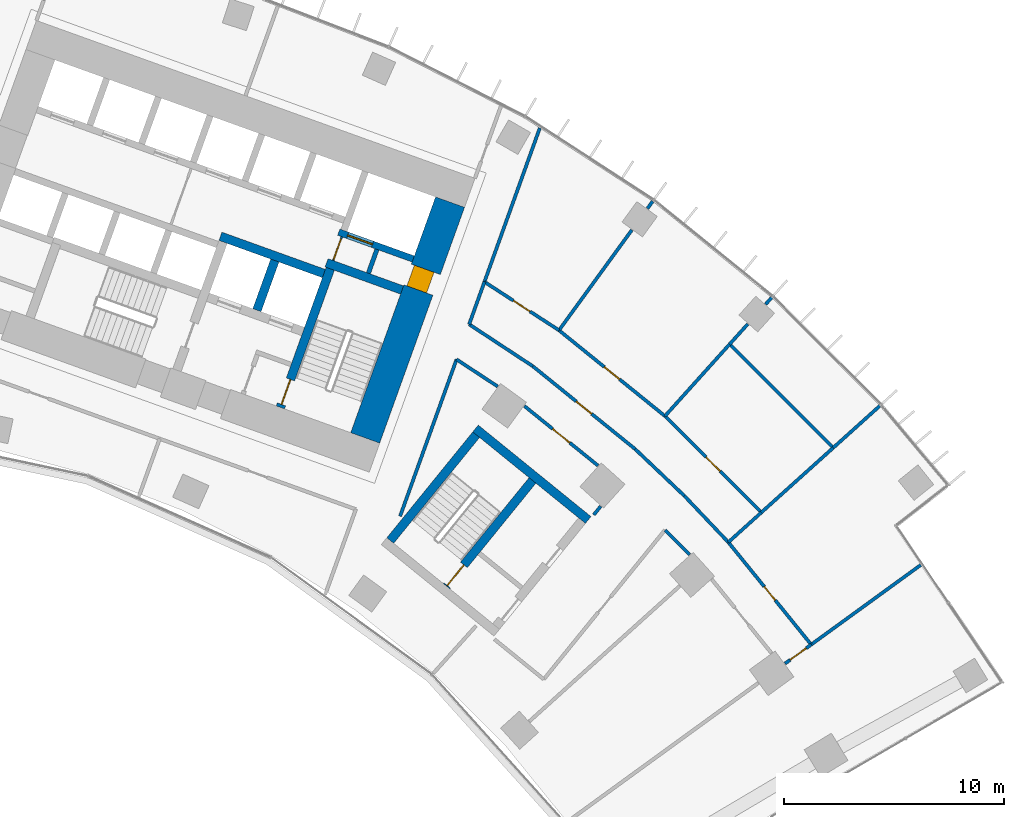
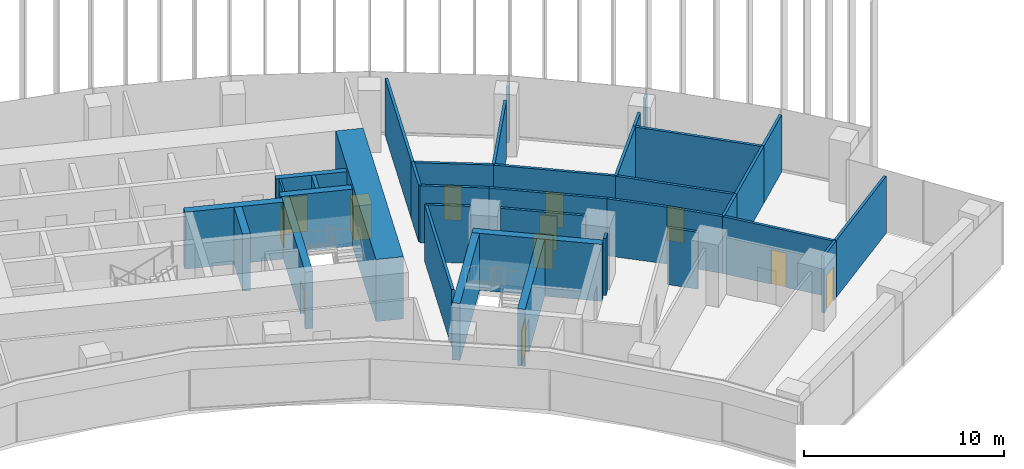
# One storey, part 18 of 21: 37 walls, 12 doors, 12 openings.
"""IFC4 building model written with IfcOpenShell, lengths in metres."""

from ifc_helpers import new_model, si_unit, direction, frame, frame_2d, origin, place, context, subcontext, project, spatial, rectangle, extrude, material, layer, layer_set, type_object, element, fill, save


model = new_model("IFC4")

# Units and contexts
model_context = context("Model", 3, precision=1e-05, world=origin(), true_north=direction((0.0, 1.0)))
body_context = subcontext(model_context, "Body", "Model", "MODEL_VIEW")
ifc_project = project(units=[si_unit("LENGTHUNIT", "METRE"), si_unit("AREAUNIT", "SQUARE_METRE"), si_unit("VOLUMEUNIT", "CUBIC_METRE"), si_unit("PLANEANGLEUNIT", "RADIAN"), si_unit("MASSUNIT", "GRAM", prefix="KILO")], contexts=[model_context])

# Site, building, storey
site_placement = place(None, origin())
site = spatial("IfcSite", under=ifc_project, at=site_placement, CompositionType="ELEMENT")
building_placement = place(site_placement, origin())
building = spatial("IfcBuilding", under=site, at=building_placement, Name="Stone Belt Terrace Tower", CompositionType="ELEMENT")
storey_placement = place(building_placement, frame((0.0, 0.0, 87.0)))
storey = spatial("IfcBuildingStorey", under=building, at=storey_placement, Name="L20", CompositionType="ELEMENT", Elevation=87.0)

# Wall, opening, door
ifc_material_1 = material(Name="Plasterboard partition")
ifc_layer_1 = layer(ifc_material_1, 0.10009765625)
ifc_layer_set_1 = layer_set([ifc_layer_1], Name="Core partition 100")
wall_type_1 = type_object("IfcWallType", Name="Core partition 100", PredefinedType="PARTITIONING", material=ifc_layer_set_1)
wall_1_placement = place(storey_placement, frame((24.555908203125, 51.10400390625, 0.0), z_axis=(0.0, 0.0, 1.0), x_axis=(0.338621735342, 0.94092258999, 0.0)))
wall_1 = element("IfcWall", 1, at=wall_1_placement, inside=storey, type_object=wall_type_1, Name="Core B wall", PredefinedType="PARTITIONING", context=body_context, shape_type="SweptSolid", body=[
    extrude(rectangle(XDim=1.14990234375, YDim=0.10009765625, at=frame_2d((0.574951171875, 0.0))), origin(), (0.0, 0.0, 1.0), 3.47998046875),
])
opening_1_placement = place(wall_1_placement, frame((0.050048828125, 0.0, 0.0)))
opening_1 = element("IfcOpeningElement", 2, at=opening_1_placement, cuts=wall_1, Name="Opening L20-C13", PredefinedType="OPENING", context=body_context, shape_type="SweptSolid", body=[
    extrude(rectangle(XDim=1.0, YDim=2.10009765625, at=frame_2d((0.5, 1.050048828125))), frame((0.0, 0.06005859375, 0.0), z_axis=(0.0, -1.0, 0.0), x_axis=(1.0, 0.0, 0.0)), (0.0, 0.0, 1.0), 0.1201171875),
])
ifc_material_2 = material(Name="Timber door leaf", Category="wood")
door_type_1 = type_object("IfcDoorType", Name="Core room door 1000", OperationType="SINGLE_SWING_LEFT", PredefinedType="DOOR", material=ifc_material_2)
door_1_placement = place(opening_1_placement, origin())
door_1 = element("IfcDoor", 3, at=door_1_placement, inside=storey, type_object=door_type_1, Name="Service lift lobby door core B", OperationType="SINGLE_SWING_RIGHT", OverallHeight=2.10009765625, OverallWidth=1.0, PredefinedType="DOOR", context=body_context, shape_type="SweptSolid", body=[
    extrude(rectangle(XDim=1.0, YDim=2.10009765625, at=frame_2d((0.5, 1.050048828125))), frame((0.0, 0.02490234375, 0.0), z_axis=(0.0, -1.0, 0.0), x_axis=(1.0, 0.0, 0.0)), (0.0, 0.0, 1.0), 0.050048828125),
])
fill(opening_1, door_1)

ifc_material_3 = material(Name="Concrete B80", Category="concrete")
ifc_layer_2 = layer(ifc_material_3, 1.39990234375)
ifc_layer_set_2 = layer_set([ifc_layer_2], Name="Core wall 1400 B80")
wall_type_2 = type_object("IfcWallType", Name="Core wall 1400 B80", PredefinedType="SHEAR", material=ifc_layer_set_2)
wall_2_placement = place(storey_placement, frame((26.00927734375, 43.03515625, 0.0), z_axis=(0.0, 0.0, 1.0), x_axis=(0.338625431531, 0.940921259788, 0.0)))
wall_2 = element("IfcWall", 4, at=wall_2_placement, inside=storey, type_object=wall_type_2, Name="Core B wall end_b L20", PredefinedType="SHEAR", context=body_context, shape_type="SweptSolid", body=[
    extrude(rectangle(XDim=11.400146484375, YDim=1.39990234375, at=frame_2d((5.7001953125, 0.0))), origin(), (0.0, 0.0, 1.0), 3.800048828125),
])
opening_2_placement = place(wall_2_placement, frame((7.14990234375, 0.0, 0.0)))
opening_2 = element("IfcOpeningElement", 5, at=opening_2_placement, cuts=wall_2, Name="Opening L20-C12", PredefinedType="OPENING", context=body_context, shape_type="SweptSolid", body=[
    extrude(rectangle(XDim=1.0, YDim=2.10009765625, at=frame_2d((0.5, 1.050048828125))), frame((0.0, 0.7099609375, 0.0), z_axis=(0.0, -1.0, 0.0), x_axis=(1.0, 0.0, 0.0)), (0.0, 0.0, 1.0), 1.419921875),
])
door_2_placement = place(opening_2_placement, origin())
door_2 = element("IfcDoor", 6, at=door_2_placement, inside=storey, type_object=door_type_1, Name="Door to Telecommunications riser room core B", OperationType="SINGLE_SWING_LEFT", OverallHeight=2.10009765625, OverallWidth=1.0, PredefinedType="DOOR", context=body_context, shape_type="SweptSolid", body=[
    extrude(rectangle(XDim=1.0, YDim=2.10009765625, at=frame_2d((0.5, 1.050048828125))), frame((0.0, 0.55517578125, 0.0), z_axis=(0.0, -1.0, 0.0), x_axis=(1.0, 0.0, 0.0)), (0.0, 0.0, 1.0), 0.949951171875),
])
fill(opening_2, door_2)

# Walls
ifc_layer_3 = layer(ifc_material_3, 0.39990234375)
ifc_layer_set_3 = layer_set([ifc_layer_3], Name="Fire-fighting lift shaft wall 400")
wall_type_3 = type_object("IfcWallType", Name="Fire-fighting lift shaft wall 400", PredefinedType="SHEAR", material=ifc_layer_set_3)
wall_3_placement = place(storey_placement, frame((24.130615234375, 50.512939453125, 0.0), z_axis=(0.0, 0.0, 1.0), x_axis=(-0.94091168377, 0.338652038744, 0.0)))
element("IfcWall", 7, at=wall_3_placement, inside=storey, type_object=wall_type_3, Name="Core B wall", PredefinedType="SHEAR", context=body_context, shape_type="SweptSolid", body=[
    extrude(rectangle(XDim=5.000244140625, YDim=0.39990234375, at=frame_2d((2.5, 0.0))), origin(), (0.0, 0.0, 1.0), 3.47998046875),
])
wall_4_placement = place(storey_placement, frame((21.0859375, 48.845458984375, 0.0), z_axis=(0.0, 0.0, 1.0), x_axis=(0.338629416206, 0.940919825745, 0.0)))
element("IfcWall", 8, at=wall_4_placement, inside=storey, type_object=wall_type_3, Name="Core B wall", PredefinedType="SHEAR", context=body_context, shape_type="SweptSolid", body=[
    extrude(rectangle(XDim=2.400146484375, YDim=0.39990234375, at=frame_2d((1.2001953125, 0.0))), origin(), (0.0, 0.0, 1.0), 3.47998046875),
])

# Wall, opening, door
ifc_layer_4 = layer(ifc_material_3, 0.300048828125)
ifc_layer_set_4 = layer_set([ifc_layer_4], Name="Lift shaft wall 300")
wall_type_4 = type_object("IfcWallType", Name="Lift shaft wall 300", PredefinedType="SHEAR", material=ifc_layer_set_4)
wall_5_placement = place(storey_placement, frame((28.195068359375, 51.17578125, 0.0), z_axis=(0.0, 0.0, 1.0), x_axis=(-0.940901243567, 0.338681044427, 0.0)))
wall_5 = element("IfcWall", 9, at=wall_5_placement, inside=storey, type_object=wall_type_4, Name="Core B wall", PredefinedType="SHEAR", context=body_context, shape_type="SweptSolid", body=[
    extrude(rectangle(XDim=3.599853515625, YDim=0.300048828125, at=frame_2d((1.7998046875, 0.0))), origin(), (0.0, 0.0, 1.0), 3.47998046875),
])
opening_3_placement = place(wall_5_placement, frame((1.969970703125, 0.0, 0.0)))
opening_3 = element("IfcOpeningElement", 10, at=opening_3_placement, cuts=wall_5, Name="Opening L20-LD18", PredefinedType="OPENING", context=body_context, shape_type="SweptSolid", body=[
    extrude(rectangle(XDim=1.199951171875, YDim=2.199951171875, at=frame_2d((0.60009765625, 1.10009765625))), frame((0.0, 0.159912109375, 0.0), z_axis=(0.0, -1.0, 0.0), x_axis=(1.0, 0.0, 0.0)), (0.0, 0.0, 1.0), 0.320068359375),
])
ifc_material_4 = material(Name="Stainless steel door leaf", Category="steel")
door_type_2 = type_object("IfcDoorType", Name="Landing door 1200", OperationType="SLIDING_TO_LEFT", PredefinedType="DOOR", material=ifc_material_4)
door_3_placement = place(opening_3_placement, origin())
door_3 = element("IfcDoor", 11, at=door_3_placement, inside=storey, type_object=door_type_2, Name="Landing door SV1 core B", OperationType="SLIDING_TO_LEFT", OverallHeight=2.199951171875, OverallWidth=1.199951171875, PredefinedType="DOOR", context=body_context, shape_type="SweptSolid", body=[
    extrude(rectangle(XDim=1.199951171875, YDim=2.199951171875, at=frame_2d((0.60009765625, 1.10009765625))), frame((0.0, 0.02490234375, 0.0), z_axis=(0.0, -1.0, 0.0), x_axis=(1.0, 0.0, 0.0)), (0.0, 0.0, 1.0), 0.050048828125),
])
fill(opening_3, door_3)

# Walls
ifc_material_5 = material(Name="Gypsum board partition")
ifc_layer_5 = layer(ifc_material_5, 0.14990234375)
ifc_layer_set_5 = layer_set([ifc_layer_5], Name="PARTITION 150 EI 60")
wall_type_5 = type_object("IfcWallType", Name="PARTITION 150 EI 60", PredefinedType="PARTITIONING", material=ifc_layer_set_5)
wall_6_placement = place(storey_placement, frame((30.1669921875, 46.612060546875, 0.0), z_axis=(0.0, 0.0, 1.0), x_axis=(-0.338694393991, -0.940896438233, 0.0)))
element("IfcWall", 12, at=wall_6_placement, inside=storey, type_object=wall_type_5, Name="L20/wall/i021", PredefinedType="PARTITIONING", context=body_context, shape_type="SweptSolid", body=[
    extrude(rectangle(XDim=7.585205078125, YDim=0.14990234375, at=frame_2d((3.79248046875, 0.0))), origin(), (0.0, 0.0, 1.0), 3.47998046875),
])
wall_7_placement = place(storey_placement, frame((31.43603515625, 50.139892578125, 0.0), z_axis=(0.0, 0.0, 1.0), x_axis=(-0.338522672426, -0.940958235127, 0.0)))
element("IfcWall", 13, at=wall_7_placement, inside=storey, type_object=wall_type_5, Name="L20/wall/i023", PredefinedType="PARTITIONING", context=body_context, shape_type="SweptSolid", body=[
    extrude(rectangle(XDim=2.064697265625, YDim=0.14990234375, at=frame_2d((1.0322265625, 0.0))), origin(), (0.0, 0.0, 1.0), 3.47998046875),
])
wall_8_placement = place(storey_placement, frame((33.951904296875, 57.131103515625, 0.0), z_axis=(0.0, 0.0, 1.0), x_axis=(-0.338585885873, -0.940935490822, 0.0)))
element("IfcWall", 14, at=wall_8_placement, inside=storey, type_object=wall_type_5, Name="L20/wall/i024", PredefinedType="PARTITIONING", context=body_context, shape_type="SweptSolid", body=[
    extrude(rectangle(XDim=7.44287109375, YDim=0.14990234375, at=frame_2d((3.721435546875, 0.0))), origin(), (0.0, 0.0, 1.0), 3.47998046875),
])

# Wall, opening, door
wall_9_placement = place(storey_placement, frame((46.301025390625, 33.638916015625, 0.0), z_axis=(0.0, 0.0, 1.0), x_axis=(-0.809407972322, -0.587246740597, 0.0)))
wall_9 = element("IfcWall", 15, at=wall_9_placement, inside=storey, type_object=wall_type_5, Name="L20/wall/i046", PredefinedType="PARTITIONING", context=body_context, shape_type="SweptSolid", body=[
    extrude(rectangle(XDim=1.475830078125, YDim=0.14990234375, at=frame_2d((0.73779296875, 0.0))), origin(), (0.0, 0.0, 1.0), 3.47998046875),
])
opening_4_placement = place(wall_9_placement, frame((0.287841796875, 0.0, 0.0)))
opening_4 = element("IfcOpeningElement", 16, at=opening_4_placement, cuts=wall_9, Name="Opening D-B1-14", PredefinedType="OPENING", context=body_context, shape_type="SweptSolid", body=[
    extrude(rectangle(XDim=0.89990234375, YDim=2.10009765625, at=frame_2d((0.449951171875, 1.050048828125))), frame((0.0, 0.0849609375, 0.0), z_axis=(0.0, -1.0, 0.0), x_axis=(1.0, 0.0, 0.0)), (0.0, 0.0, 1.0), 0.169921875),
])
door_type_3 = type_object("IfcDoorType", Name="OFFICE DOOR 900 X 2100", OperationType="NOTDEFINED", PredefinedType="DOOR", material=ifc_material_2)
door_4_placement = place(opening_4_placement, origin())
door_4 = element("IfcDoor", 17, at=door_4_placement, inside=storey, type_object=door_type_3, Name="L20/door/i14", OperationType="SINGLE_SWING_RIGHT", OverallHeight=2.10009765625, OverallWidth=0.89990234375, PredefinedType="DOOR", context=body_context, shape_type="SweptSolid", body=[
    extrude(rectangle(XDim=0.89990234375, YDim=2.10009765625, at=frame_2d((0.449951171875, 1.050048828125))), frame((0.0, 0.02490234375, 0.0), z_axis=(0.0, -1.0, 0.0), x_axis=(1.0, 0.0, 0.0)), (0.0, 0.0, 1.0), 0.050048828125),
])
fill(opening_4, door_4)

# Wall
wall_10_placement = place(storey_placement, frame((46.291015625, 33.632080078125, 0.0), z_axis=(0.0, 0.0, 1.0), x_axis=(0.809007988274, 0.587797647927, 0.0)))
element("IfcWall", 18, at=wall_10_placement, inside=storey, type_object=wall_type_5, Name="L20/wall/i048", PredefinedType="PARTITIONING", context=body_context, shape_type="SweptSolid", body=[
    extrude(rectangle(XDim=6.171630859375, YDim=0.14990234375, at=frame_2d((3.0859375, 0.0))), origin(), (0.0, 0.0, 1.0), 3.47998046875),
])

# Wall, opening, door
wall_11_placement = place(storey_placement, frame((36.599365234375, 41.77587890625, 0.0), z_axis=(0.0, 0.0, 1.0), x_axis=(-0.777153738144, 0.62931078752, 0.0)))
wall_11 = element("IfcWall", 19, at=wall_11_placement, inside=storey, type_object=wall_type_5, Name="L20/wall/i049", PredefinedType="PARTITIONING", context=body_context, shape_type="SweptSolid", body=[
    extrude(rectangle(XDim=4.30517578125, YDim=0.14990234375, at=frame_2d((2.152587890625, 0.0))), origin(), (0.0, 0.0, 1.0), 3.47998046875),
])
opening_5_placement = place(wall_11_placement, frame((1.652587890625, 0.0, 0.0)))
opening_5 = element("IfcOpeningElement", 20, at=opening_5_placement, cuts=wall_11, Name="Opening D-B1-15", PredefinedType="OPENING", context=body_context, shape_type="SweptSolid", body=[
    extrude(rectangle(XDim=1.0, YDim=2.10009765625, at=frame_2d((0.5, 1.050048828125))), frame((0.0, 0.0849609375, 0.0), z_axis=(0.0, -1.0, 0.0), x_axis=(1.0, 0.0, 0.0)), (0.0, 0.0, 1.0), 0.169921875),
])
ifc_material_6 = material(Name="Timber fire door leaf", Category="wood")
door_type_4 = type_object("IfcDoorType", Name="TENANCY ENTRANCE DOOR 1000 X 2100", OperationType="NOTDEFINED", PredefinedType="DOOR", material=ifc_material_6)
door_5_placement = place(opening_5_placement, origin())
door_5 = element("IfcDoor", 21, at=door_5_placement, inside=storey, type_object=door_type_4, Name="L20/door/i15", OperationType="SINGLE_SWING_RIGHT", OverallHeight=2.10009765625, OverallWidth=1.0, PredefinedType="DOOR", context=body_context, shape_type="SweptSolid", body=[
    extrude(rectangle(XDim=1.0, YDim=2.10009765625, at=frame_2d((0.5, 1.050048828125))), frame((0.0, 0.02490234375, 0.0), z_axis=(0.0, -1.0, 0.0), x_axis=(1.0, 0.0, 0.0)), (0.0, 0.0, 1.0), 0.050048828125),
])
fill(opening_5, door_5)

# Walls
wall_12_placement = place(storey_placement, frame((32.03466796875, 45.37646484375, 0.0), z_axis=(0.0, 0.0, 1.0), x_axis=(-0.835456606052, 0.549556420583, 0.0)))
element("IfcWall", 22, at=wall_12_placement, inside=storey, type_object=wall_type_5, Name="L20/wall/i050", PredefinedType="PARTITIONING", context=body_context, shape_type="SweptSolid", body=[
    extrude(rectangle(XDim=2.239013671875, YDim=0.14990234375, at=frame_2d((1.11962890625, 0.0))), origin(), (0.0, 0.0, 1.0), 3.47998046875),
])
wall_13_placement = place(storey_placement, frame((30.739013671875, 48.202880859375, 0.0), z_axis=(0.0, 0.0, 1.0), x_axis=(0.835274160171, -0.549833681535, 0.0)))
element("IfcWall", 23, at=wall_13_placement, inside=storey, type_object=wall_type_5, Name="L20/wall/i051", PredefinedType="PARTITIONING", context=body_context, shape_type="SweptSolid", body=[
    extrude(rectangle(XDim=3.46826171875, YDim=0.14990234375, at=frame_2d((1.734130859375, 0.0))), origin(), (0.0, 0.0, 1.0), 3.47998046875),
])

# Wall, opening, door
wall_14_placement = place(storey_placement, frame((33.635986328125, 46.2958984375, 0.0), z_axis=(0.0, 0.0, 1.0), x_axis=(0.777109127033, -0.629365875054, 0.0)))
wall_14 = element("IfcWall", 24, at=wall_14_placement, inside=storey, type_object=wall_type_5, Name="L20/wall/i052", PredefinedType="PARTITIONING", context=body_context, shape_type="SweptSolid", body=[
    extrude(rectangle(XDim=5.990234375, YDim=0.14990234375, at=frame_2d((2.9951171875, 0.0))), origin(), (0.0, 0.0, 1.0), 3.47998046875),
])
opening_6_placement = place(wall_14_placement, frame((2.545166015625, 0.0, 0.0)))
opening_6 = element("IfcOpeningElement", 25, at=opening_6_placement, cuts=wall_14, Name="Opening D-B1-18", PredefinedType="OPENING", context=body_context, shape_type="SweptSolid", body=[
    extrude(rectangle(XDim=0.89990234375, YDim=2.10009765625, at=frame_2d((0.449951171875, 1.050048828125))), frame((0.0, 0.0849609375, 0.0), z_axis=(0.0, -1.0, 0.0), x_axis=(1.0, 0.0, 0.0)), (0.0, 0.0, 1.0), 0.169921875),
])
door_6_placement = place(opening_6_placement, origin())
door_6 = element("IfcDoor", 26, at=door_6_placement, inside=storey, type_object=door_type_3, Name="L20/door/i18", OperationType="SINGLE_SWING_RIGHT", OverallHeight=2.10009765625, OverallWidth=0.89990234375, PredefinedType="DOOR", context=body_context, shape_type="SweptSolid", body=[
    extrude(rectangle(XDim=0.89990234375, YDim=2.10009765625, at=frame_2d((0.449951171875, 1.050048828125))), frame((0.0, 0.02490234375, 0.0), z_axis=(0.0, -1.0, 0.0), x_axis=(1.0, 0.0, 0.0)), (0.0, 0.0, 1.0), 0.050048828125),
])
fill(opening_6, door_6)

# Walls
wall_15_placement = place(storey_placement, frame((38.291015625, 42.52587890625, 0.0), z_axis=(0.0, 0.0, 1.0), x_axis=(0.724835843729, -0.688921620829, 0.0)))
element("IfcWall", 27, at=wall_15_placement, inside=storey, type_object=wall_type_5, Name="L20/wall/i053", PredefinedType="PARTITIONING", context=body_context, shape_type="SweptSolid", body=[
    extrude(rectangle(XDim=3.093017578125, YDim=0.14990234375, at=frame_2d((1.54638671875, 0.0))), origin(), (0.0, 0.0, 1.0), 3.47998046875),
])
wall_16_placement = place(storey_placement, frame((40.765625, 37.721435546875, 0.0), z_axis=(0.0, 0.0, 1.0), x_axis=(-0.707106781187, 0.707106781187, 0.0)))
element("IfcWall", 28, at=wall_16_placement, inside=storey, type_object=wall_type_5, Name="L20/wall/i054", PredefinedType="PARTITIONING", context=body_context, shape_type="SweptSolid", body=[
    extrude(rectangle(XDim=1.587646484375, YDim=0.14990234375, at=frame_2d((0.7939453125, 0.0))), origin(), (0.0, 0.0, 1.0), 3.47998046875),
])
wall_17_placement = place(storey_placement, frame((40.532958984375, 40.39501953125, 0.0), z_axis=(0.0, 0.0, 1.0), x_axis=(0.687681554755, -0.726012451167, 0.0)))
element("IfcWall", 29, at=wall_17_placement, inside=storey, type_object=wall_type_5, Name="L20/wall/i056", PredefinedType="PARTITIONING", context=body_context, shape_type="SweptSolid", body=[
    extrude(rectangle(XDim=2.89794921875, YDim=0.14990234375, at=frame_2d((1.448974609375, 0.0))), origin(), (0.0, 0.0, 1.0), 3.47998046875),
])

# Wall, opening, door
wall_18_placement = place(storey_placement, frame((42.527099609375, 38.2900390625, 0.0), z_axis=(0.0, 0.0, 1.0), x_axis=(0.629322532513, -0.77714422733, 0.0)))
wall_18 = element("IfcWall", 30, at=wall_18_placement, inside=storey, type_object=wall_type_5, Name="L20/wall/i057", PredefinedType="PARTITIONING", context=body_context, shape_type="SweptSolid", body=[
    extrude(rectangle(XDim=5.98876953125, YDim=0.14990234375, at=frame_2d((2.994384765625, 0.0))), origin(), (0.0, 0.0, 1.0), 3.47998046875),
])
opening_7_placement = place(wall_18_placement, frame((2.594482421875, 0.0, 0.0)))
opening_7 = element("IfcOpeningElement", 31, at=opening_7_placement, cuts=wall_18, Name="Opening D-B1-22", PredefinedType="OPENING", context=body_context, shape_type="SweptSolid", body=[
    extrude(rectangle(XDim=0.800048828125, YDim=2.10009765625, at=frame_2d((0.39990234375, 1.050048828125))), frame((0.0, 0.0849609375, 0.0), z_axis=(0.0, -1.0, 0.0), x_axis=(1.0, 0.0, 0.0)), (0.0, 0.0, 1.0), 0.169921875),
])
door_type_5 = type_object("IfcDoorType", Name="STORE DOOR 800 X 2100", OperationType="NOTDEFINED", PredefinedType="DOOR", material=ifc_material_2)
door_7_placement = place(opening_7_placement, origin())
door_7 = element("IfcDoor", 32, at=door_7_placement, inside=storey, type_object=door_type_5, Name="L20/door/i22", OperationType="SINGLE_SWING_LEFT", OverallHeight=2.10009765625, OverallWidth=0.800048828125, PredefinedType="DOOR", context=body_context, shape_type="SweptSolid", body=[
    extrude(rectangle(XDim=0.800048828125, YDim=2.10009765625, at=frame_2d((0.39990234375, 1.050048828125))), frame((0.0, 0.02490234375, 0.0), z_axis=(0.0, -1.0, 0.0), x_axis=(1.0, 0.0, 0.0)), (0.0, 0.0, 1.0), 0.050048828125),
])
fill(opening_7, door_7)

# Wall
wall_19_placement = place(storey_placement, frame((36.406005859375, 39.537109375, 0.0), z_axis=(0.0, 0.0, 1.0), x_axis=(0.630355285391, 0.776306778393, 0.0)))
element("IfcWall", 33, at=wall_19_placement, inside=storey, type_object=wall_type_5, Name="L20/wall/i058", PredefinedType="PARTITIONING", context=body_context, shape_type="SweptSolid", body=[
    extrude(rectangle(XDim=0.50341796875, YDim=0.14990234375, at=frame_2d((0.251708984375, 0.0))), origin(), (0.0, 0.0, 1.0), 3.47998046875),
])

# Wall, opening, door
wall_20_placement = place(storey_placement, frame((31.43408203125, 50.134033203125, 0.0), z_axis=(0.0, 0.0, 1.0), x_axis=(0.838660143757, -0.544655086521, 0.0)))
wall_20 = element("IfcWall", 34, at=wall_20_placement, inside=storey, type_object=wall_type_5, Name="L20/wall/i062", PredefinedType="PARTITIONING", context=body_context, shape_type="SweptSolid", body=[
    extrude(rectangle(XDim=4.043212890625, YDim=0.14990234375, at=frame_2d((2.021484375, 0.0))), origin(), (0.0, 0.0, 1.0), 3.47998046875),
])
opening_8_placement = place(wall_20_placement, frame((1.571533203125, 0.0, 0.0)))
opening_8 = element("IfcOpeningElement", 35, at=opening_8_placement, cuts=wall_20, Name="Opening D-B1-19", PredefinedType="OPENING", context=body_context, shape_type="SweptSolid", body=[
    extrude(rectangle(XDim=0.89990234375, YDim=2.10009765625, at=frame_2d((0.449951171875, 1.050048828125))), frame((0.0, 0.0849609375, 0.0), z_axis=(0.0, -1.0, 0.0), x_axis=(1.0, 0.0, 0.0)), (0.0, 0.0, 1.0), 0.169921875),
])
door_8_placement = place(opening_8_placement, origin())
door_8 = element("IfcDoor", 36, at=door_8_placement, inside=storey, type_object=door_type_3, Name="L20/door/i19", OperationType="SINGLE_SWING_RIGHT", OverallHeight=2.10009765625, OverallWidth=0.89990234375, PredefinedType="DOOR", context=body_context, shape_type="SweptSolid", body=[
    extrude(rectangle(XDim=0.89990234375, YDim=2.10009765625, at=frame_2d((0.449951171875, 1.050048828125))), frame((0.0, 0.02490234375, 0.0), z_axis=(0.0, -1.0, 0.0), x_axis=(1.0, 0.0, 0.0)), (0.0, 0.0, 1.0), 0.050048828125),
])
fill(opening_8, door_8)

wall_21_placement = place(storey_placement, frame((34.824951171875, 47.931884765625, 0.0), z_axis=(0.0, 0.0, 1.0), x_axis=(0.777190769916, -0.629265053184, 0.0)))
wall_21 = element("IfcWall", 37, at=wall_21_placement, inside=storey, type_object=wall_type_5, Name="L20/wall/i063", PredefinedType="PARTITIONING", context=body_context, shape_type="SweptSolid", body=[
    extrude(rectangle(XDim=6.20068359375, YDim=0.14990234375, at=frame_2d((3.100341796875, 0.0))), origin(), (0.0, 0.0, 1.0), 3.47998046875),
])
opening_9_placement = place(wall_21_placement, frame((2.650390625, 0.0, 0.0)))
opening_9 = element("IfcOpeningElement", 38, at=opening_9_placement, cuts=wall_21, Name="Opening D-B1-20", PredefinedType="OPENING", context=body_context, shape_type="SweptSolid", body=[
    extrude(rectangle(XDim=0.89990234375, YDim=2.10009765625, at=frame_2d((0.449951171875, 1.050048828125))), frame((0.0, 0.0849609375, 0.0), z_axis=(0.0, -1.0, 0.0), x_axis=(1.0, 0.0, 0.0)), (0.0, 0.0, 1.0), 0.169921875),
])
door_9_placement = place(opening_9_placement, origin())
door_9 = element("IfcDoor", 39, at=door_9_placement, inside=storey, type_object=door_type_3, Name="L20/door/i20", OperationType="SINGLE_SWING_RIGHT", OverallHeight=2.10009765625, OverallWidth=0.89990234375, PredefinedType="DOOR", context=body_context, shape_type="SweptSolid", body=[
    extrude(rectangle(XDim=0.89990234375, YDim=2.10009765625, at=frame_2d((0.449951171875, 1.050048828125))), frame((0.0, 0.02490234375, 0.0), z_axis=(0.0, -1.0, 0.0), x_axis=(1.0, 0.0, 0.0)), (0.0, 0.0, 1.0), 0.050048828125),
])
fill(opening_9, door_9)

wall_22_placement = place(storey_placement, frame((39.639892578125, 44.033935546875, 0.0), z_axis=(0.0, 0.0, 1.0), x_axis=(0.707126447351, -0.707087114475, 0.0)))
wall_22 = element("IfcWall", 40, at=wall_22_placement, inside=storey, type_object=wall_type_5, Name="L20/wall/i064", PredefinedType="PARTITIONING", context=body_context, shape_type="SweptSolid", body=[
    extrude(rectangle(XDim=6.20703125, YDim=0.14990234375, at=frame_2d((3.103515625, 0.0))), origin(), (0.0, 0.0, 1.0), 3.47998046875),
])
opening_10_placement = place(wall_22_placement, frame((2.653564453125, 0.0, 0.0)))
opening_10 = element("IfcOpeningElement", 41, at=opening_10_placement, cuts=wall_22, Name="Opening D-B1-21", PredefinedType="OPENING", context=body_context, shape_type="SweptSolid", body=[
    extrude(rectangle(XDim=0.89990234375, YDim=2.10009765625, at=frame_2d((0.449951171875, 1.050048828125))), frame((0.0, 0.0849609375, 0.0), z_axis=(0.0, -1.0, 0.0), x_axis=(1.0, 0.0, 0.0)), (0.0, 0.0, 1.0), 0.169921875),
])
door_10_placement = place(opening_10_placement, origin())
door_10 = element("IfcDoor", 42, at=door_10_placement, inside=storey, type_object=door_type_3, Name="L20/door/i21", OperationType="SINGLE_SWING_RIGHT", OverallHeight=2.10009765625, OverallWidth=0.89990234375, PredefinedType="DOOR", context=body_context, shape_type="SweptSolid", body=[
    extrude(rectangle(XDim=0.89990234375, YDim=2.10009765625, at=frame_2d((0.449951171875, 1.050048828125))), frame((0.0, 0.02490234375, 0.0), z_axis=(0.0, -1.0, 0.0), x_axis=(1.0, 0.0, 0.0)), (0.0, 0.0, 1.0), 0.050048828125),
])
fill(opening_10, door_10)

# Walls
wall_23_placement = place(storey_placement, frame((44.029052734375, 39.64501953125, 0.0), z_axis=(0.0, 0.0, 1.0), x_axis=(-0.743012054614, -0.669278033927, 0.0)))
element("IfcWall", 43, at=wall_23_placement, inside=storey, type_object=wall_type_5, Name="L20/wall/i065", PredefinedType="PARTITIONING", context=body_context, shape_type="SweptSolid", body=[
    extrude(rectangle(XDim=2.023193359375, YDim=0.14990234375, at=frame_2d((1.01171875, 0.0))), origin(), (0.0, 0.0, 1.0), 3.47998046875),
])
wall_24_placement = place(storey_placement, frame((39.087890625, 53.7998046875, 0.0), z_axis=(0.0, 0.0, 1.0), x_axis=(-0.588207421816, -0.808710101904, 0.0)))
element("IfcWall", 44, at=wall_24_placement, inside=storey, type_object=wall_type_5, Name="L20/wall/i066", PredefinedType="PARTITIONING", context=body_context, shape_type="SweptSolid", body=[
    extrude(rectangle(XDim=0.40625, YDim=0.14990234375, at=frame_2d((0.203125, 0.0))), origin(), (0.0, 0.0, 1.0), 3.47998046875),
])
wall_25_placement = place(storey_placement, frame((38.1376953125, 52.4921875, 0.0), z_axis=(0.0, 0.0, 1.0), x_axis=(-0.587726060758, -0.809059996234, 0.0)))
element("IfcWall", 45, at=wall_25_placement, inside=storey, type_object=wall_type_5, Name="L20/wall/i067", PredefinedType="PARTITIONING", context=body_context, shape_type="SweptSolid", body=[
    extrude(rectangle(XDim=5.636474609375, YDim=0.14990234375, at=frame_2d((2.818359375, 0.0))), origin(), (0.0, 0.0, 1.0), 3.47998046875),
])
wall_26_placement = place(storey_placement, frame((42.592041015625, 47.303955078125, 0.0), z_axis=(0.0, 0.0, 1.0), x_axis=(-0.669148410698, -0.743128793992, 0.0)))
element("IfcWall", 46, at=wall_26_placement, inside=storey, type_object=wall_type_5, Name="L20/wall/i068", PredefinedType="PARTITIONING", context=body_context, shape_type="SweptSolid", body=[
    extrude(rectangle(XDim=4.405517578125, YDim=0.14990234375, at=frame_2d((2.20263671875, 0.0))), origin(), (0.0, 0.0, 1.0), 3.47998046875),
])
wall_27_placement = place(storey_placement, frame((44.496826171875, 49.419189453125, 0.0), z_axis=(0.0, 0.0, 1.0), x_axis=(-0.669463057056, -0.742845350821, 0.0)))
element("IfcWall", 47, at=wall_27_placement, inside=storey, type_object=wall_type_5, Name="L20/wall/i069", PredefinedType="PARTITIONING", context=body_context, shape_type="SweptSolid", body=[
    extrude(rectangle(XDim=0.406005859375, YDim=0.14990234375, at=frame_2d((0.203125, 0.0))), origin(), (0.0, 0.0, 1.0), 3.47998046875),
])
wall_28_placement = place(storey_placement, frame((43.415283203125, 48.218505859375, 0.0), z_axis=(0.0, 0.0, 1.0), x_axis=(-0.669388214241, -0.742912793426, 0.0)))
element("IfcWall", 48, at=wall_28_placement, inside=storey, type_object=wall_type_5, Name="L20/wall/i070", PredefinedType="PARTITIONING", context=body_context, shape_type="SweptSolid", body=[
    extrude(rectangle(XDim=1.241943359375, YDim=0.14990234375, at=frame_2d((0.62109375, 0.0))), origin(), (0.0, 0.0, 1.0), 3.47998046875),
])
wall_29_placement = place(storey_placement, frame((42.587890625, 47.300048828125, 0.0), z_axis=(0.0, 0.0, 1.0), x_axis=(0.7071251031, -0.707088458798, 0.0)))
element("IfcWall", 49, at=wall_29_placement, inside=storey, type_object=wall_type_5, Name="L20/wall/i071", PredefinedType="PARTITIONING", context=body_context, shape_type="SweptSolid", body=[
    extrude(rectangle(XDim=6.662353515625, YDim=0.14990234375, at=frame_2d((3.3310546875, 0.0))), origin(), (0.0, 0.0, 1.0), 3.47998046875),
])
wall_30_placement = place(storey_placement, frame((47.299072265625, 42.589111328125, 0.0), z_axis=(0.0, 0.0, 1.0), x_axis=(-0.743172740326, -0.669099602478, 0.0)))
element("IfcWall", 50, at=wall_30_placement, inside=storey, type_object=wall_type_5, Name="L20/wall/i072", PredefinedType="PARTITIONING", context=body_context, shape_type="SweptSolid", body=[
    extrude(rectangle(XDim=4.400146484375, YDim=0.14990234375, at=frame_2d((2.2001953125, 0.0))), origin(), (0.0, 0.0, 1.0), 3.47998046875),
])
wall_31_placement = place(storey_placement, frame((49.41943359375, 44.496826171875, 0.0), z_axis=(0.0, 0.0, 1.0), x_axis=(-0.743400540609, -0.668846496755, 0.0)))
element("IfcWall", 51, at=wall_31_placement, inside=storey, type_object=wall_type_5, Name="L20/wall/i073", PredefinedType="PARTITIONING", context=body_context, shape_type="SweptSolid", body=[
    extrude(rectangle(XDim=2.852294921875, YDim=0.14990234375, at=frame_2d((1.42626953125, 0.0))), origin(), (0.0, 0.0, 1.0), 3.47998046875),
])
ifc_material_7 = material(Name="Concrete masonry block", Category="masonry")
ifc_layer_6 = layer(ifc_material_7, 0.199951171875)
ifc_layer_set_6 = layer_set([ifc_layer_6], Name="Rated lobby wall 200")
wall_type_6 = type_object("IfcWallType", Name="Rated lobby wall 200", PredefinedType="PARTITIONING", material=ifc_layer_set_6)
wall_32_placement = place(storey_placement, frame((26.1552734375, 50.5283203125, 0.0), z_axis=(0.0, 0.0, 1.0), x_axis=(0.338621735342, 0.94092258999, 0.0)))
element("IfcWall", 52, at=wall_32_placement, inside=storey, type_object=wall_type_6, Name="Core B wall", PredefinedType="PARTITIONING", context=body_context, shape_type="SweptSolid", body=[
    extrude(rectangle(XDim=1.14990234375, YDim=0.199951171875, at=frame_2d((0.574951171875, 0.0))), origin(), (0.0, 0.0, 1.0), 3.47998046875),
])
ifc_layer_7 = layer(ifc_material_3, 0.39990234375)
ifc_layer_set_7 = layer_set([ifc_layer_7], Name="Stair enclosure wall 400")
wall_type_7 = type_object("IfcWallType", Name="Stair enclosure wall 400", PredefinedType="SHEAR", material=ifc_layer_set_7)
wall_33_placement = place(storey_placement, frame((27.687255859375, 49.764404296875, 0.0), z_axis=(0.0, 0.0, 1.0), x_axis=(-0.940918954884, 0.338631835981, 0.0)))
element("IfcWall", 53, at=wall_33_placement, inside=storey, type_object=wall_type_7, Name="Core B wall", PredefinedType="SHEAR", context=body_context, shape_type="SweptSolid", body=[
    extrude(rectangle(XDim=3.650146484375, YDim=0.39990234375, at=frame_2d((1.8251953125, 0.0))), origin(), (0.0, 0.0, 1.0), 3.47998046875),
])

# Wall, opening, door
wall_34_placement = place(storey_placement, frame((22.151611328125, 44.42333984375, 0.0), z_axis=(0.0, 0.0, 1.0), x_axis=(0.338625272931, 0.940921316866, 0.0)))
wall_34 = element("IfcWall", 54, at=wall_34_placement, inside=storey, type_object=wall_type_7, Name="Core B wall", PredefinedType="SHEAR", context=body_context, shape_type="SweptSolid", body=[
    extrude(rectangle(XDim=6.699951171875, YDim=0.39990234375, at=frame_2d((3.35009765625, 0.0))), origin(), (0.0, 0.0, 1.0), 3.47998046875),
])
opening_11_placement = place(wall_34_placement, frame((0.14990234375, 0.0, 0.0)))
opening_11 = element("IfcOpeningElement", 55, at=opening_11_placement, cuts=wall_34, Name="Opening L20-C16", PredefinedType="OPENING", context=body_context, shape_type="SweptSolid", body=[
    extrude(rectangle(XDim=1.199951171875, YDim=2.10009765625, at=frame_2d((0.60009765625, 1.050048828125))), frame((0.0, 0.2099609375, 0.0), z_axis=(0.0, -1.0, 0.0), x_axis=(1.0, 0.0, 0.0)), (0.0, 0.0, 1.0), 0.419921875),
])
ifc_material_8 = material(Name="Steel door leaf", Category="steel")
door_type_6 = type_object("IfcDoorType", Name="Stair door 1200", OperationType="SINGLE_SWING_LEFT", PredefinedType="DOOR", material=ifc_material_8)
door_11_placement = place(opening_11_placement, origin())
door_11 = element("IfcDoor", 56, at=door_11_placement, inside=storey, type_object=door_type_6, Name="Stair 1 door core B", OperationType="SINGLE_SWING_RIGHT", OverallHeight=2.10009765625, OverallWidth=1.199951171875, PredefinedType="DOOR", context=body_context, shape_type="SweptSolid", body=[
    extrude(rectangle(XDim=1.199951171875, YDim=2.10009765625, at=frame_2d((0.60009765625, 1.050048828125))), frame((0.0, 0.02490234375, 0.0), z_axis=(0.0, -1.0, 0.0), x_axis=(1.0, 0.0, 0.0)), (0.0, 0.0, 1.0), 0.050048828125),
])
fill(opening_11, door_11)

# Walls
wall_35_placement = place(storey_placement, frame((31.02783203125, 43.46337890625, 0.0), z_axis=(0.0, 0.0, 1.0), x_axis=(0.776413760801, -0.630223509589, 0.0)))
element("IfcWall", 57, at=wall_35_placement, inside=storey, type_object=wall_type_7, Name="Exit stair ST3B wall", PredefinedType="SHEAR", context=body_context, shape_type="SweptSolid", body=[
    extrude(rectangle(XDim=6.599853515625, YDim=0.39990234375, at=frame_2d((3.2998046875, 0.0))), origin(), (0.0, 0.0, 1.0), 3.47998046875),
])
wall_36_placement = place(storey_placement, frame((27.149658203125, 38.3681640625, 0.0), z_axis=(0.0, 0.0, 1.0), x_axis=(0.630211551729, 0.776423466973, 0.0)))
element("IfcWall", 58, at=wall_36_placement, inside=storey, type_object=wall_type_7, Name="Exit stair ST3B wall", PredefinedType="SHEAR", context=body_context, shape_type="SweptSolid", body=[
    extrude(rectangle(XDim=6.199951171875, YDim=0.39990234375, at=frame_2d((3.10009765625, 0.0))), origin(), (0.0, 0.0, 1.0), 3.47998046875),
])

# Wall, opening, door
wall_37_placement = place(storey_placement, frame((29.7119140625, 36.288330078125, 0.0), z_axis=(0.0, 0.0, 1.0), x_axis=(0.630192283849, 0.776439106033, 0.0)))
wall_37 = element("IfcWall", 59, at=wall_37_placement, inside=storey, type_object=wall_type_7, Name="Exit stair ST3B wall", PredefinedType="SHEAR", context=body_context, shape_type="SweptSolid", body=[
    extrude(rectangle(XDim=6.199951171875, YDim=0.39990234375, at=frame_2d((3.10009765625, 0.0))), origin(), (0.0, 0.0, 1.0), 3.47998046875),
])
opening_12_placement = place(wall_37_placement, frame((0.050048828125, 0.0, 0.0)))
opening_12 = element("IfcOpeningElement", 60, at=opening_12_placement, cuts=wall_37, Name="Opening L20-C26", PredefinedType="OPENING", context=body_context, shape_type="SweptSolid", body=[
    extrude(rectangle(XDim=1.199951171875, YDim=2.10009765625, at=frame_2d((0.60009765625, 1.050048828125))), frame((0.0, 0.2099609375, 0.0), z_axis=(0.0, -1.0, 0.0), x_axis=(1.0, 0.0, 0.0)), (0.0, 0.0, 1.0), 0.419921875),
])
door_12_placement = place(opening_12_placement, origin())
door_12 = element("IfcDoor", 61, at=door_12_placement, inside=storey, type_object=door_type_6, Name="Stair door ST3B", OperationType="SINGLE_SWING_RIGHT", OverallHeight=2.10009765625, OverallWidth=1.199951171875, PredefinedType="DOOR", context=body_context, shape_type="SweptSolid", body=[
    extrude(rectangle(XDim=1.199951171875, YDim=2.10009765625, at=frame_2d((0.60009765625, 1.050048828125))), frame((0.0, 0.02490234375, 0.0), z_axis=(0.0, -1.0, 0.0), x_axis=(1.0, 0.0, 0.0)), (0.0, 0.0, 1.0), 0.050048828125),
])
fill(opening_12, door_12)

save(model, "model.ifc")
